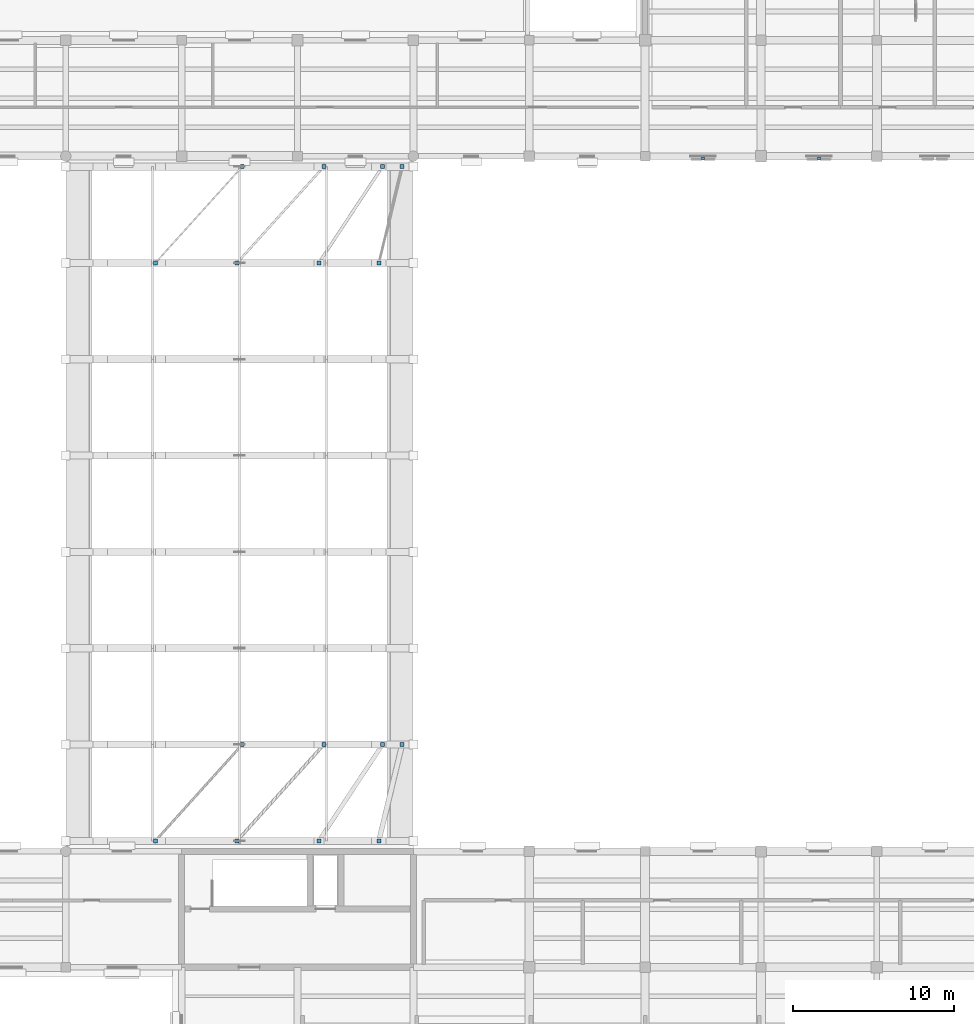
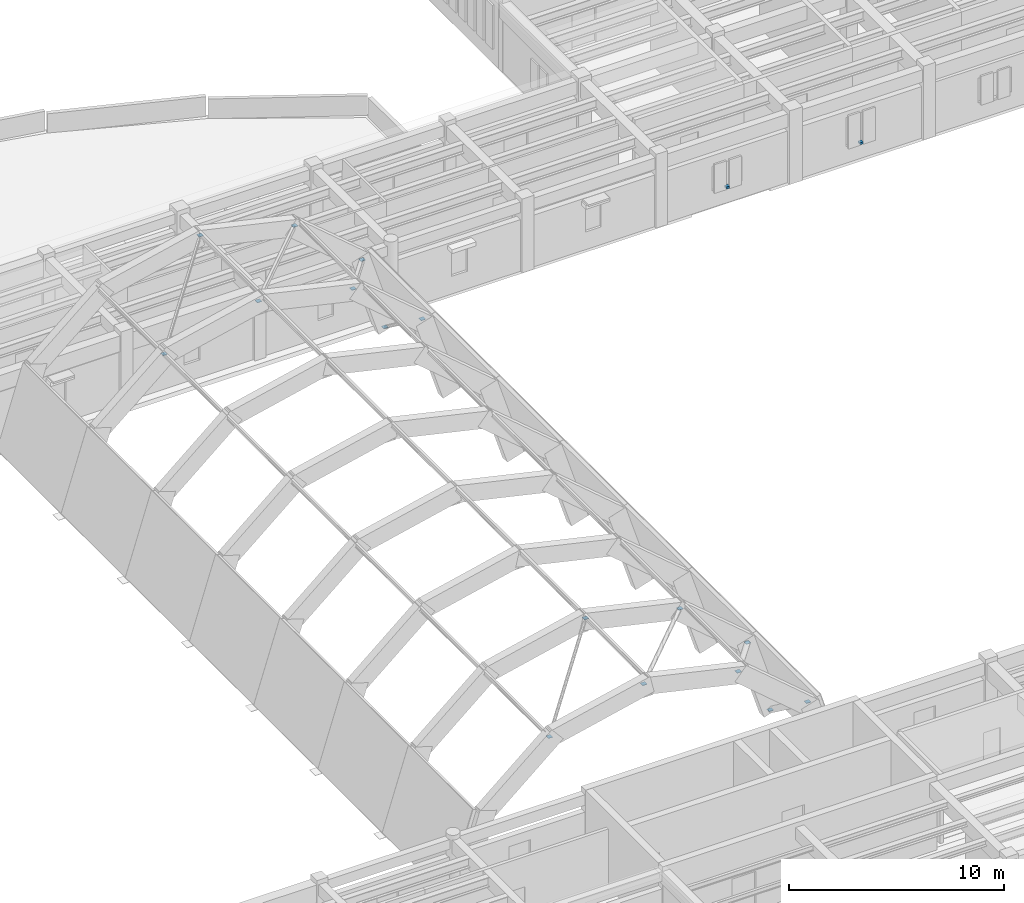
# One storey, part 56 of 66: 18 discrete accessories.
"""IFC4 building model written with IfcOpenShell, lengths in metres."""

from ifc_helpers import new_model, si_unit, direction, frame, origin, origin_2d, place, context, subcontext, project, spatial, rectangle, extrude, material, type_object, element, save


model = new_model("IFC4")

# Units and contexts
model_context = context("Model", 3, precision=1e-05, world=origin(), true_north=direction((0.0, 1.0)))
body_context = subcontext(model_context, "Body", "Model", "MODEL_VIEW")
ifc_project = project(units=[si_unit("LENGTHUNIT", "METRE"), si_unit("AREAUNIT", "SQUARE_METRE"), si_unit("VOLUMEUNIT", "CUBIC_METRE"), si_unit("PLANEANGLEUNIT", "RADIAN"), si_unit("MASSUNIT", "GRAM", prefix="KILO")], contexts=[model_context])

# Site, building, storey
site_placement = place(None, origin())
site = spatial("IfcSite", under=ifc_project, at=site_placement, CompositionType="ELEMENT")
building_placement = place(site_placement, origin())
building = spatial("IfcBuilding", under=site, at=building_placement, Name="Mithqara Police Headquarters", CompositionType="ELEMENT")
storey_placement = place(building_placement, frame((0.0, 0.0, 9.60009765625)))
storey = spatial("IfcBuildingStorey", under=building, at=storey_placement, Name="L02", CompositionType="ELEMENT", Elevation=9.60009765625)

# Discrete accessories
ifc_material = material(Name="Steel S355JR", Category="steel")
discrete_accessory_type_1 = type_object("IfcDiscreteAccessoryType", Name="END CONN PLATE", PredefinedType="BRACKET", material=ifc_material)
for number, where, z_axis, x_axis, name in (
    (1, (78.16357421875, 36.050048828125, 7.23876953125), (0.0, 0.0, 1.0), (1.0, 0.0, 0.0), "Brace End Connection Plate 21A"),
    (2, (83.563720703125, 42.03564453125, 8.471435546875), (0.0, 0.0, 1.0), (1.0, 0.0, 0.0), "Brace End Connection Plate 22B"),
    (3, (83.236328125, 36.050048828125, 8.471435546875), (0.0, 0.0, 1.0), (1.0, 0.0, 0.0), "Brace End Connection Plate 23A"),
    (4, (88.636474609375, 42.03564453125, 7.23876953125), (0.0, 0.0, 1.0), (1.0, 0.0, 0.0), "Brace End Connection Plate 24B"),
    (5, (88.323486328125, 36.050048828125, 7.395751953125), (0.0, 0.0, 1.0), (1.0, 0.0, 0.0), "Brace End Connection Plate 25A"),
    (6, (92.276611328125, 42.03564453125, 4.0283203125), (0.0, 0.0, 1.0), (1.0, 0.0, 0.0), "Brace End Connection Plate 26B"),
    (7, (92.052001953125, 36.050048828125, 4.367431640625), (0.0, 0.0, 1.0), (1.0, 0.0, 0.0), "Brace End Connection Plate 27A"),
    (8, (93.498779296875, 42.03564453125, -0.232666015625), (0.0, 0.0, 1.0), (1.0, 0.0, 0.0), "Brace End Connection Plate 28B"),
    (9, (78.16357421875, 71.96435546875, 7.23876953125), (0.0, 0.0, 1.0), (1.0, 0.0, 0.0), "Brace End Connection Plate 29A"),
    (10, (83.563720703125, 77.949951171875, 8.471435546875), (0.0, 0.0, 1.0), (1.0, 0.0, 0.0), "Brace End Connection Plate 30B"),
    (11, (83.236328125, 71.96435546875, 8.471435546875), (0.0, 0.0, 1.0), (1.0, 0.0, 0.0), "Brace End Connection Plate 31A"),
    (12, (88.636474609375, 77.949951171875, 7.23876953125), (0.0, 0.0, 1.0), (1.0, 0.0, 0.0), "Brace End Connection Plate 32B"),
    (13, (88.323486328125, 71.96435546875, 7.395751953125), (0.0, 0.0, 1.0), (1.0, 0.0, 0.0), "Brace End Connection Plate 33A"),
    (14, (92.276611328125, 77.949951171875, 4.0283203125), (0.0, 0.0, 1.0), (1.0, 0.0, 0.0), "Brace End Connection Plate 34B"),
    (15, (92.052001953125, 71.96435546875, 4.367431640625), (0.0, 0.0, 1.0), (1.0, 0.0, 0.0), "Brace End Connection Plate 35A"),
    (16, (93.498779296875, 77.949951171875, -0.232666015625), (0.0, 0.0, 1.0), (1.0, 0.0, 0.0), "Brace End Connection Plate 36B"),
):
    element("IfcDiscreteAccessory", number, at=place(storey_placement, frame(where, z_axis=z_axis, x_axis=x_axis)), inside=storey, type_object=discrete_accessory_type_1, Name=name, PredefinedType="BRACKET", context=body_context, shape_type="SweptSolid", body=[
        extrude(rectangle(XDim=0.239990234375, YDim=0.239990234375, at=origin_2d()), origin(), (0.0, 0.0, 1.0), 0.02392578125),
    ])
discrete_accessory_type_2 = type_object("IfcDiscreteAccessoryType", Name="SCREEN BRACKET SS", PredefinedType="BRACKET", material=ifc_material)
for number, where, z_axis, x_axis, name in (
    (17, (112.199951171875, 78.449951171875, 0.849853515625), (0.0, 0.0, 1.0), (1.0, 0.0, 0.0), "L02 Stone Screen Support Bracket 4.1"),
    (18, (119.39990234375, 78.449951171875, 0.849853515625), (0.0, 0.0, 1.0), (1.0, 0.0, 0.0), "L02 Stone Screen Support Bracket 4.2"),
):
    element("IfcDiscreteAccessory", number, at=place(storey_placement, frame(where, z_axis=z_axis, x_axis=x_axis)), inside=storey, type_object=discrete_accessory_type_2, Name=name, PredefinedType="BRACKET", context=body_context, shape_type="SweptSolid", body=[
        extrude(rectangle(XDim=0.179931640625, YDim=0.179931640625, at=origin_2d()), origin(), (0.0, 0.0, 1.0), 0.1201171875),
    ])

save(model, "model.ifc")
